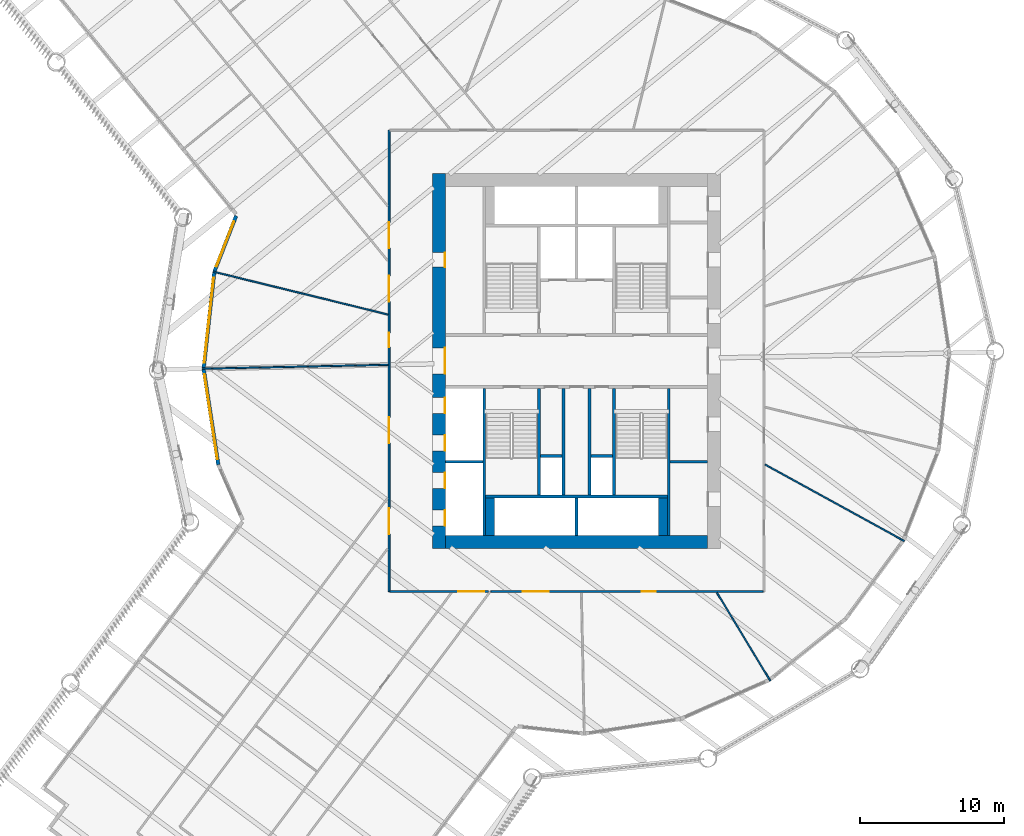
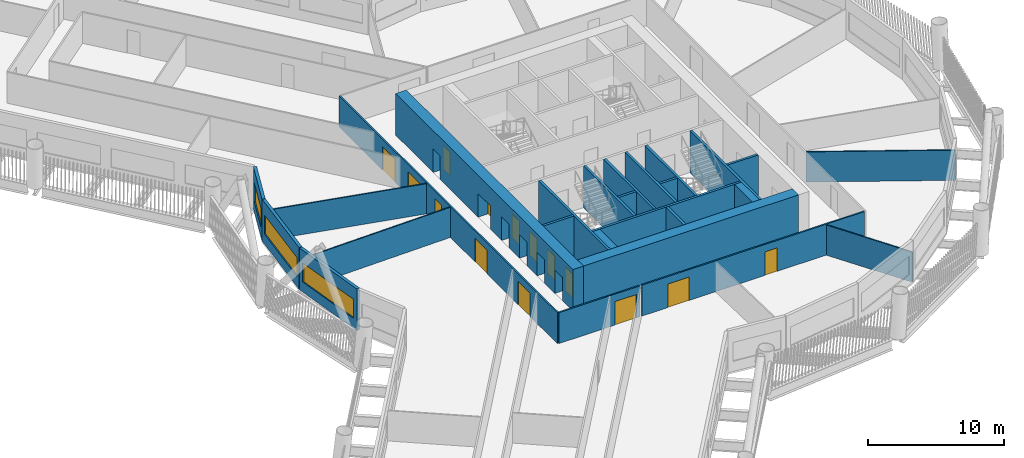
# One storey, part 4 of 22: 26 walls, 14 doors, 3 windows, 17 openings.
"""IFC4 building model written with IfcOpenShell, lengths in metres."""

from ifc_helpers import new_model, si_unit, direction, frame, frame_2d, origin, place, context, subcontext, project, spatial, rectangle, extrude, material, layer, layer_set, type_object, element, fill, save


model = new_model("IFC4")

# Units and contexts
model_context = context("Model", 3, precision=1e-05, world=origin(), true_north=direction((0.0, 1.0)))
body_context = subcontext(model_context, "Body", "Model", "MODEL_VIEW")
ifc_project = project(units=[si_unit("LENGTHUNIT", "METRE"), si_unit("AREAUNIT", "SQUARE_METRE"), si_unit("VOLUMEUNIT", "CUBIC_METRE"), si_unit("PLANEANGLEUNIT", "RADIAN"), si_unit("MASSUNIT", "GRAM", prefix="KILO")], contexts=[model_context])

# Site, building, storey
site_placement = place(None, origin())
site = spatial("IfcSite", under=ifc_project, at=site_placement, CompositionType="ELEMENT")
building_placement = place(site_placement, origin())
building = spatial("IfcBuilding", under=site, at=building_placement, Name="Tarsis Ring Headquarters", CompositionType="ELEMENT")
storey_placement = place(building_placement, frame((0.0, 0.0, 40.0)))
storey = spatial("IfcBuildingStorey", under=building, at=storey_placement, Name="L07", CompositionType="ELEMENT", Elevation=40.0)

# Walls
ifc_material_1 = material(Name="Blockwork", Category="masonry")
ifc_layer_1 = layer(ifc_material_1, 0.199951171875)
ifc_layer_set_1 = layer_set([ifc_layer_1], Name="Core blockwork wall 200")
wall_type_1 = type_object("IfcWallType", Name="Core blockwork wall 200", PredefinedType="PARTITIONING", material=ifc_layer_set_1)
wall_1_placement = place(storey_placement, frame((6.5, -7.0, 0.0), z_axis=(0.0, 0.0, 1.0), x_axis=(1.0, 0.0, 0.0)))
element("IfcWall", 1, at=wall_1_placement, inside=storey, type_object=wall_type_1, Name="Core partition ED2", PredefinedType="PARTITIONING", context=body_context, shape_type="SweptSolid", body=[
    extrude(rectangle(XDim=2.60009765625, YDim=0.199951171875, at=frame_2d((1.300048828125, 0.0))), origin(), (0.0, 0.0, 1.0), 3.739990234375),
])
for number, where, z_axis, x_axis, name in (
    (2, (-2.5, -6.60009765625, 0.0), (0.0, 0.0, 1.0), (1.0, 0.0, 0.0), "Core partition SP1"),
    (3, (1.0, -6.60009765625, 0.0), (0.0, 0.0, 1.0), (1.0, 0.0, 0.0), "Core partition SP3"),
):
    element("IfcWall", number, at=place(storey_placement, frame(where, z_axis=z_axis, x_axis=x_axis)), inside=storey, type_object=wall_type_1, Name=name, PredefinedType="PARTITIONING", context=body_context, shape_type="SweptSolid", body=[
        extrude(rectangle(XDim=1.5, YDim=0.199951171875, at=frame_2d((0.75, 0.0))), origin(), (0.0, 0.0, 1.0), 3.739990234375),
    ])
for number, where, z_axis, x_axis, name in (
    (4, (-0.89990234375, -9.300048828125, 0.0), (0.0, 0.0, 1.0), (0.0, 1.0, 0.0), "Core partition SV1"),
    (5, (0.89990234375, -9.300048828125, 0.0), (0.0, 0.0, 1.0), (0.0, 1.0, 0.0), "Core partition SV2"),
):
    element("IfcWall", number, at=place(storey_placement, frame(where, z_axis=z_axis, x_axis=x_axis)), inside=storey, type_object=wall_type_1, Name=name, PredefinedType="PARTITIONING", context=body_context, shape_type="SweptSolid", body=[
        extrude(rectangle(XDim=7.400146484375, YDim=0.199951171875, at=frame_2d((3.7001953125, 0.0))), origin(), (0.0, 0.0, 1.0), 3.739990234375),
    ])

# Wall, openings, doors
ifc_material_2 = material(Name="Concrete C60/75", Category="concrete")
ifc_layer_2 = layer(ifc_material_2, 0.89990234375)
ifc_layer_set_2 = layer_set([ifc_layer_2], Name="Core wall 900 C60/75")
wall_type_2 = type_object("IfcWallType", Name="Core wall 900 C60/75", PredefinedType="SHEAR", material=ifc_layer_set_2)
wall_2_placement = place(storey_placement, frame((-9.550048828125, -13.0, 0.0), z_axis=(0.0, 0.0, 1.0), x_axis=(0.0, 1.0, 0.0)))
wall_2 = element("IfcWall", 6, at=wall_2_placement, inside=storey, type_object=wall_type_2, Name="Core wall OW", PredefinedType="SHEAR", context=body_context, shape_type="SweptSolid", body=[
    extrude(rectangle(XDim=26.0, YDim=0.89990234375, at=frame_2d((13.0, 0.0))), origin(), (0.0, 0.0, 1.0), 3.739990234375),
])
opening_1_placement = place(wall_2_placement, frame((1.550048828125, 0.0, 0.0)))
opening_1 = element("IfcOpeningElement", 7, at=opening_1_placement, cuts=wall_2, Name="Opening LD-LR1", PredefinedType="OPENING", context=body_context, shape_type="SweptSolid", body=[
    extrude(rectangle(XDim=1.10009765625, YDim=2.10009765625, at=frame_2d((0.550048828125, 1.050048828125))), frame((0.0, 0.4599609375, 0.0), z_axis=(0.0, -1.0, 0.0), x_axis=(1.0, 0.0, 0.0)), (0.0, 0.0, 1.0), 0.919921875),
])
opening_2_placement = place(wall_2_placement, frame((4.14990234375, 0.0, 0.0)))
opening_2 = element("IfcOpeningElement", 8, at=opening_2_placement, cuts=wall_2, Name="Opening LD-LR2", PredefinedType="OPENING", context=body_context, shape_type="SweptSolid", body=[
    extrude(rectangle(XDim=1.10009765625, YDim=2.10009765625, at=frame_2d((0.550048828125, 1.050048828125))), frame((0.0, 0.4599609375, 0.0), z_axis=(0.0, -1.0, 0.0), x_axis=(1.0, 0.0, 0.0)), (0.0, 0.0, 1.0), 0.919921875),
])
opening_3_placement = place(wall_2_placement, frame((6.75, 0.0, 0.0)))
opening_3 = element("IfcOpeningElement", 9, at=opening_3_placement, cuts=wall_2, Name="Opening LD-LR3", PredefinedType="OPENING", context=body_context, shape_type="SweptSolid", body=[
    extrude(rectangle(XDim=1.10009765625, YDim=2.10009765625, at=frame_2d((0.550048828125, 1.050048828125))), frame((0.0, 0.4599609375, 0.0), z_axis=(0.0, -1.0, 0.0), x_axis=(1.0, 0.0, 0.0)), (0.0, 0.0, 1.0), 0.919921875),
])
opening_4_placement = place(wall_2_placement, frame((9.35009765625, 0.0, 0.0)))
opening_4 = element("IfcOpeningElement", 10, at=opening_4_placement, cuts=wall_2, Name="Opening LD-LR4", PredefinedType="OPENING", context=body_context, shape_type="SweptSolid", body=[
    extrude(rectangle(XDim=1.10009765625, YDim=2.10009765625, at=frame_2d((0.550048828125, 1.050048828125))), frame((0.0, 0.4599609375, 0.0), z_axis=(0.0, -1.0, 0.0), x_axis=(1.0, 0.0, 0.0)), (0.0, 0.0, 1.0), 0.919921875),
])
opening_5_placement = place(wall_2_placement, frame((12.10009765625, 0.0, 0.0)))
opening_5 = element("IfcOpeningElement", 11, at=opening_5_placement, cuts=wall_2, Name="Opening L07-C05", PredefinedType="OPENING", context=body_context, shape_type="SweptSolid", body=[
    extrude(rectangle(XDim=1.800048828125, YDim=2.10009765625, at=frame_2d((0.89990234375, 1.050048828125))), frame((0.0, 0.4599609375, 0.0), z_axis=(0.0, -1.0, 0.0), x_axis=(1.0, 0.0, 0.0)), (0.0, 0.0, 1.0), 0.919921875),
])
opening_6_placement = place(wall_2_placement, frame((19.5, 0.0, 0.0)))
opening_6 = element("IfcOpeningElement", 12, at=opening_6_placement, cuts=wall_2, Name="Opening L07-C06", PredefinedType="OPENING", context=body_context, shape_type="SweptSolid", body=[
    extrude(rectangle(XDim=1.0, YDim=2.10009765625, at=frame_2d((0.5, 1.050048828125))), frame((0.0, 0.4599609375, 0.0), z_axis=(0.0, -1.0, 0.0), x_axis=(1.0, 0.0, 0.0)), (0.0, 0.0, 1.0), 0.919921875),
])
ifc_material_3 = material(Name="Steel S355", Category="steel")
door_type_1 = type_object("IfcDoorType", Name="Core entry door 1800x2100", OperationType="DOUBLE_DOOR_SINGLE_SWING", PredefinedType="DOOR", material=ifc_material_3)
door_1_placement = place(opening_5_placement, origin())
door_1 = element("IfcDoor", 13, at=door_1_placement, inside=storey, type_object=door_type_1, Name="Core entry door L07", OperationType="DOUBLE_DOOR_SINGLE_SWING", OverallHeight=2.10009765625, OverallWidth=1.800048828125, PredefinedType="DOOR", context=body_context, shape_type="SweptSolid", body=[
    extrude(rectangle(XDim=1.800048828125, YDim=2.10009765625, at=frame_2d((0.89990234375, 1.050048828125))), frame((0.0, -0.39990234375, 0.0), z_axis=(0.0, -1.0, 0.0), x_axis=(1.0, 0.0, 0.0)), (0.0, 0.0, 1.0), 0.050048828125),
])
fill(opening_5, door_1)
door_type_2 = type_object("IfcDoorType", Name="Core room door 1000x2100", OperationType="SINGLE_SWING_LEFT", PredefinedType="DOOR", material=ifc_material_3)
door_2_placement = place(opening_6_placement, origin())
door_2 = element("IfcDoor", 14, at=door_2_placement, inside=storey, type_object=door_type_2, Name="Core room door L07", OperationType="SINGLE_SWING_LEFT", OverallHeight=2.10009765625, OverallWidth=1.0, PredefinedType="DOOR", context=body_context, shape_type="SweptSolid", body=[
    extrude(rectangle(XDim=1.0, YDim=2.10009765625, at=frame_2d((0.5, 1.050048828125))), frame((0.0, -0.39990234375, 0.0), z_axis=(0.0, -1.0, 0.0), x_axis=(1.0, 0.0, 0.0)), (0.0, 0.0, 1.0), 0.050048828125),
])
fill(opening_6, door_2)
door_type_3 = type_object("IfcDoorType", Name="Landing door 1100x2100", OperationType="SLIDING_TO_LEFT", PredefinedType="DOOR", material=ifc_material_3)
door_3_placement = place(opening_1_placement, origin())
door_3 = element("IfcDoor", 15, at=door_3_placement, inside=storey, type_object=door_type_3, Name="Landing door LR1 L07", OperationType="SLIDING_TO_LEFT", OverallHeight=2.10009765625, OverallWidth=1.10009765625, PredefinedType="DOOR", context=body_context, shape_type="SweptSolid", body=[
    extrude(rectangle(XDim=1.10009765625, YDim=2.10009765625, at=frame_2d((0.550048828125, 1.050048828125))), frame((0.0, -0.39990234375, 0.0), z_axis=(0.0, -1.0, 0.0), x_axis=(1.0, 0.0, 0.0)), (0.0, 0.0, 1.0), 0.050048828125),
])
fill(opening_1, door_3)
door_4_placement = place(opening_2_placement, origin())
door_4 = element("IfcDoor", 16, at=door_4_placement, inside=storey, type_object=door_type_3, Name="Landing door LR2 L07", OperationType="SLIDING_TO_LEFT", OverallHeight=2.10009765625, OverallWidth=1.10009765625, PredefinedType="DOOR", context=body_context, shape_type="SweptSolid", body=[
    extrude(rectangle(XDim=1.10009765625, YDim=2.10009765625, at=frame_2d((0.550048828125, 1.050048828125))), frame((0.0, -0.39990234375, 0.0), z_axis=(0.0, -1.0, 0.0), x_axis=(1.0, 0.0, 0.0)), (0.0, 0.0, 1.0), 0.050048828125),
])
fill(opening_2, door_4)
door_5_placement = place(opening_3_placement, origin())
door_5 = element("IfcDoor", 17, at=door_5_placement, inside=storey, type_object=door_type_3, Name="Landing door LR3 L07", OperationType="SLIDING_TO_LEFT", OverallHeight=2.10009765625, OverallWidth=1.10009765625, PredefinedType="DOOR", context=body_context, shape_type="SweptSolid", body=[
    extrude(rectangle(XDim=1.10009765625, YDim=2.10009765625, at=frame_2d((0.550048828125, 1.050048828125))), frame((0.0, -0.39990234375, 0.0), z_axis=(0.0, -1.0, 0.0), x_axis=(1.0, 0.0, 0.0)), (0.0, 0.0, 1.0), 0.050048828125),
])
fill(opening_3, door_5)
door_6_placement = place(opening_4_placement, origin())
door_6 = element("IfcDoor", 18, at=door_6_placement, inside=storey, type_object=door_type_3, Name="Landing door LR4 L07", OperationType="SLIDING_TO_LEFT", OverallHeight=2.10009765625, OverallWidth=1.10009765625, PredefinedType="DOOR", context=body_context, shape_type="SweptSolid", body=[
    extrude(rectangle(XDim=1.10009765625, YDim=2.10009765625, at=frame_2d((0.550048828125, 1.050048828125))), frame((0.0, -0.39990234375, 0.0), z_axis=(0.0, -1.0, 0.0), x_axis=(1.0, 0.0, 0.0)), (0.0, 0.0, 1.0), 0.050048828125),
])
fill(opening_4, door_6)

# Walls
wall_3_placement = place(storey_placement, frame((-9.10009765625, -12.550048828125, 0.0), z_axis=(0.0, 0.0, 1.0), x_axis=(1.0, 0.0, 0.0)))
element("IfcWall", 19, at=wall_3_placement, inside=storey, type_object=wall_type_2, Name="Core wall OS", PredefinedType="SHEAR", context=body_context, shape_type="SweptSolid", body=[
    extrude(rectangle(XDim=18.2001953125, YDim=0.89990234375, at=frame_2d((9.10009765625, 0.0))), origin(), (0.0, 0.0, 1.0), 3.739990234375),
])
ifc_material_4 = material(Name="Gypsum board on steel studs", Category="steel")
ifc_layer_3 = layer(ifc_material_4, 0.10009765625)
ifc_layer_set_3 = layer_set([ifc_layer_3], Name="FL partition 100 unrated")
wall_type_3 = type_object("IfcWallType", Name="FL partition 100 unrated", PredefinedType="PARTITIONING", material=ifc_layer_set_3)
wall_4_placement = place(storey_placement, frame((-25.942138671875, -0.54345703125, 0.0), z_axis=(0.0, 0.0, 1.0), x_axis=(0.999780449306, 0.020953596019, 0.0)))
element("IfcWall", 20, at=wall_4_placement, inside=storey, type_object=wall_type_3, Name="Partition PW3", PredefinedType="PARTITIONING", context=body_context, shape_type="SweptSolid", body=[
    extrude(rectangle(XDim=12.875, YDim=0.10009765625, at=frame_2d((6.4375, 0.0))), origin(), (0.0, 0.0, 1.0), 2.699951171875),
])
wall_5_placement = place(storey_placement, frame((-25.19873046875, 6.189453125, 0.0), z_axis=(0.0, 0.0, 1.0), x_axis=(0.971131100346, -0.238546402071, 0.0)))
element("IfcWall", 21, at=wall_5_placement, inside=storey, type_object=wall_type_3, Name="Partition PW3", PredefinedType="PARTITIONING", context=body_context, shape_type="SweptSolid", body=[
    extrude(rectangle(XDim=12.4912109375, YDim=0.10009765625, at=frame_2d((6.24560546875, 0.0))), origin(), (0.0, 0.0, 1.0), 2.699951171875),
])
wall_6_placement = place(storey_placement, frame((13.078857421875, -7.190185546875, 0.0), z_axis=(0.0, 0.0, 1.0), x_axis=(0.876307080368, -0.481752945914, 0.0)))
element("IfcWall", 22, at=wall_6_placement, inside=storey, type_object=wall_type_3, Name="Partition PW3", PredefinedType="PARTITIONING", context=body_context, shape_type="SweptSolid", body=[
    extrude(rectangle(XDim=11.02294921875, YDim=0.10009765625, at=frame_2d((5.511474609375, 0.0))), origin(), (0.0, 0.0, 1.0), 2.699951171875),
])
wall_7_placement = place(storey_placement, frame((9.736572265625, -16.076904296875, 0.0), z_axis=(0.0, 0.0, 1.0), x_axis=(0.518020270196, -0.855368341515, 0.0)))
element("IfcWall", 23, at=wall_7_placement, inside=storey, type_object=wall_type_3, Name="Partition PW3", PredefinedType="PARTITIONING", context=body_context, shape_type="SweptSolid", body=[
    extrude(rectangle(XDim=7.15234375, YDim=0.10009765625, at=frame_2d((3.576171875, 0.0))), origin(), (0.0, 0.0, 1.0), 2.699951171875),
])

# Wall, openings, doors
ifc_layer_4 = layer(ifc_material_4, 0.125)
ifc_layer_set_4 = layer_set([ifc_layer_4], Name="FL partition 125 EI 60 H2770")
wall_type_4 = type_object("IfcWallType", Name="FL partition 125 EI 60 H2770", PredefinedType="PARTITIONING", material=ifc_layer_set_4)
wall_8_placement = place(storey_placement, frame((-13.0, -15.9990234375, 0.0), z_axis=(0.0, 0.0, 1.0), x_axis=(0.0, 1.0, 0.0)))
wall_8 = element("IfcWall", 24, at=wall_8_placement, inside=storey, type_object=wall_type_4, Name="Partition PW1", PredefinedType="PARTITIONING", context=body_context, shape_type="SweptSolid", body=[
    extrude(rectangle(XDim=31.9990234375, YDim=0.125, at=frame_2d((15.99951171875, 0.0))), origin(), (0.0, 0.0, 1.0), 2.77001953125),
])
opening_7_placement = place(wall_8_placement, frame((10.272216796875, 0.0, 0.0)))
opening_7 = element("IfcOpeningElement", 25, at=opening_7_placement, cuts=wall_8, Name="Opening D07.14", PredefinedType="OPENING", context=body_context, shape_type="SweptSolid", body=[
    extrude(rectangle(XDim=1.800048828125, YDim=2.10009765625, at=frame_2d((0.89990234375, 1.050048828125))), frame((0.0, 0.072509765625, 0.0), z_axis=(0.0, -1.0, 0.0), x_axis=(1.0, 0.0, 0.0)), (0.0, 0.0, 1.0), 0.14501953125),
])
opening_8_placement = place(wall_8_placement, frame((16.95947265625, 0.0, 0.0)))
opening_8 = element("IfcOpeningElement", 26, at=opening_8_placement, cuts=wall_8, Name="Opening D07.15", PredefinedType="OPENING", context=body_context, shape_type="SweptSolid", body=[
    extrude(rectangle(XDim=1.0, YDim=2.10009765625, at=frame_2d((0.5, 1.050048828125))), frame((0.0, 0.072509765625, 0.0), z_axis=(0.0, -1.0, 0.0), x_axis=(1.0, 0.0, 0.0)), (0.0, 0.0, 1.0), 0.14501953125),
])
opening_9_placement = place(wall_8_placement, frame((20.108642578125, 0.0, 0.0)))
opening_9 = element("IfcOpeningElement", 27, at=opening_9_placement, cuts=wall_8, Name="Opening D07.16", PredefinedType="OPENING", context=body_context, shape_type="SweptSolid", body=[
    extrude(rectangle(XDim=1.800048828125, YDim=2.10009765625, at=frame_2d((0.89990234375, 1.050048828125))), frame((0.0, 0.072509765625, 0.0), z_axis=(0.0, -1.0, 0.0), x_axis=(1.0, 0.0, 0.0)), (0.0, 0.0, 1.0), 0.14501953125),
])
opening_10_placement = place(wall_8_placement, frame((3.965087890625, 0.0, 0.0)))
opening_10 = element("IfcOpeningElement", 28, at=opening_10_placement, cuts=wall_8, Name="Opening D07.21", PredefinedType="OPENING", context=body_context, shape_type="SweptSolid", body=[
    extrude(rectangle(XDim=1.800048828125, YDim=2.10009765625, at=frame_2d((0.89990234375, 1.050048828125))), frame((0.0, 0.072509765625, 0.0), z_axis=(0.0, -1.0, 0.0), x_axis=(1.0, 0.0, 0.0)), (0.0, 0.0, 1.0), 0.14501953125),
])
opening_11_placement = place(wall_8_placement, frame((23.82373046875, 0.0, 0.0)))
opening_11 = element("IfcOpeningElement", 29, at=opening_11_placement, cuts=wall_8, Name="Opening D07.23", PredefinedType="OPENING", context=body_context, shape_type="SweptSolid", body=[
    extrude(rectangle(XDim=1.800048828125, YDim=2.10009765625, at=frame_2d((0.89990234375, 1.050048828125))), frame((0.0, 0.072509765625, 0.0), z_axis=(0.0, -1.0, 0.0), x_axis=(1.0, 0.0, 0.0)), (0.0, 0.0, 1.0), 0.14501953125),
])
ifc_material_5 = material(Name="Fire-rated timber door leaf in steel frame", Category="steel")
door_type_4 = type_object("IfcDoorType", Name="FL door FD60-1000", OperationType="NOTDEFINED", PredefinedType="DOOR", material=ifc_material_5)
door_7_placement = place(opening_8_placement, origin())
door_7 = element("IfcDoor", 30, at=door_7_placement, inside=storey, type_object=door_type_4, Name="Door D07.15", OperationType="SINGLE_SWING_RIGHT", OverallHeight=2.10009765625, OverallWidth=1.0, PredefinedType="DOOR", context=body_context, shape_type="SweptSolid", body=[
    extrude(rectangle(XDim=1.0, YDim=2.10009765625, at=frame_2d((0.5, 1.050048828125))), frame((0.0, 0.02490234375, 0.0), z_axis=(0.0, -1.0, 0.0), x_axis=(1.0, 0.0, 0.0)), (0.0, 0.0, 1.0), 0.050048828125),
])
fill(opening_8, door_7)
door_type_5 = type_object("IfcDoorType", Name="FL door FD60-1800", OperationType="DOUBLE_DOOR_SINGLE_SWING", PredefinedType="DOOR", material=ifc_material_5)
door_8_placement = place(opening_7_placement, origin())
door_8 = element("IfcDoor", 31, at=door_8_placement, inside=storey, type_object=door_type_5, Name="Door D07.14", OperationType="DOUBLE_DOOR_SINGLE_SWING", OverallHeight=2.10009765625, OverallWidth=1.800048828125, PredefinedType="DOOR", context=body_context, shape_type="SweptSolid", body=[
    extrude(rectangle(XDim=1.800048828125, YDim=2.10009765625, at=frame_2d((0.89990234375, 1.050048828125))), frame((0.0, 0.02490234375, 0.0), z_axis=(0.0, -1.0, 0.0), x_axis=(1.0, 0.0, 0.0)), (0.0, 0.0, 1.0), 0.050048828125),
])
fill(opening_7, door_8)
door_9_placement = place(opening_9_placement, origin())
door_9 = element("IfcDoor", 32, at=door_9_placement, inside=storey, type_object=door_type_5, Name="Door D07.16", OperationType="DOUBLE_DOOR_SINGLE_SWING", OverallHeight=2.10009765625, OverallWidth=1.800048828125, PredefinedType="DOOR", context=body_context, shape_type="SweptSolid", body=[
    extrude(rectangle(XDim=1.800048828125, YDim=2.10009765625, at=frame_2d((0.89990234375, 1.050048828125))), frame((0.0, 0.02490234375, 0.0), z_axis=(0.0, -1.0, 0.0), x_axis=(1.0, 0.0, 0.0)), (0.0, 0.0, 1.0), 0.050048828125),
])
fill(opening_9, door_9)
door_10_placement = place(opening_10_placement, origin())
door_10 = element("IfcDoor", 33, at=door_10_placement, inside=storey, type_object=door_type_5, Name="Door D07.21", OperationType="DOUBLE_DOOR_SINGLE_SWING", OverallHeight=2.10009765625, OverallWidth=1.800048828125, PredefinedType="DOOR", context=body_context, shape_type="SweptSolid", body=[
    extrude(rectangle(XDim=1.800048828125, YDim=2.10009765625, at=frame_2d((0.89990234375, 1.050048828125))), frame((0.0, 0.02490234375, 0.0), z_axis=(0.0, -1.0, 0.0), x_axis=(1.0, 0.0, 0.0)), (0.0, 0.0, 1.0), 0.050048828125),
])
fill(opening_10, door_10)
door_11_placement = place(opening_11_placement, origin())
door_11 = element("IfcDoor", 34, at=door_11_placement, inside=storey, type_object=door_type_5, Name="Door D07.23", OperationType="DOUBLE_DOOR_SINGLE_SWING", OverallHeight=2.10009765625, OverallWidth=1.800048828125, PredefinedType="DOOR", context=body_context, shape_type="SweptSolid", body=[
    extrude(rectangle(XDim=1.800048828125, YDim=2.10009765625, at=frame_2d((0.89990234375, 1.050048828125))), frame((0.0, 0.02490234375, 0.0), z_axis=(0.0, -1.0, 0.0), x_axis=(1.0, 0.0, 0.0)), (0.0, 0.0, 1.0), 0.050048828125),
])
fill(opening_11, door_11)

# Wall, opening, door
wall_9_placement = place(storey_placement, frame((-12.93896484375, -16.0, 0.0), z_axis=(0.0, 0.0, 1.0), x_axis=(1.0, 0.0, 0.0)))
wall_9 = element("IfcWall", 35, at=wall_9_placement, inside=storey, type_object=wall_type_4, Name="Partition PW1", PredefinedType="PARTITIONING", context=body_context, shape_type="SweptSolid", body=[
    extrude(rectangle(XDim=6.82666015625, YDim=0.125, at=frame_2d((3.413330078125, 0.0))), origin(), (0.0, 0.0, 1.0), 2.77001953125),
])
opening_12_placement = place(wall_9_placement, frame((4.740234375, 0.0, 0.0)))
opening_12 = element("IfcOpeningElement", 36, at=opening_12_placement, cuts=wall_9, Name="Opening D07.22", PredefinedType="OPENING", context=body_context, shape_type="SweptSolid", body=[
    extrude(rectangle(XDim=1.800048828125, YDim=2.10009765625, at=frame_2d((0.89990234375, 1.050048828125))), frame((0.0, 0.072509765625, 0.0), z_axis=(0.0, -1.0, 0.0), x_axis=(1.0, 0.0, 0.0)), (0.0, 0.0, 1.0), 0.14501953125),
])
door_12_placement = place(opening_12_placement, origin())
door_12 = element("IfcDoor", 37, at=door_12_placement, inside=storey, type_object=door_type_5, Name="Door D07.22", OperationType="DOUBLE_DOOR_SINGLE_SWING", OverallHeight=2.10009765625, OverallWidth=1.800048828125, PredefinedType="DOOR", context=body_context, shape_type="SweptSolid", body=[
    extrude(rectangle(XDim=1.800048828125, YDim=2.10009765625, at=frame_2d((0.89990234375, 1.050048828125))), frame((0.0, 0.02490234375, 0.0), z_axis=(0.0, -1.0, 0.0), x_axis=(1.0, 0.0, 0.0)), (0.0, 0.0, 1.0), 0.050048828125),
])
fill(opening_12, door_12)

# Wall, openings, doors
wall_10_placement = place(storey_placement, frame((-5.9375, -16.0, 0.0), z_axis=(0.0, 0.0, 1.0), x_axis=(1.0, 0.0, 0.0)))
wall_10 = element("IfcWall", 38, at=wall_10_placement, inside=storey, type_object=wall_type_4, Name="Partition PW1", PredefinedType="PARTITIONING", context=body_context, shape_type="SweptSolid", body=[
    extrude(rectangle(XDim=18.87744140625, YDim=0.125, at=frame_2d((9.438720703125, 0.0))), origin(), (0.0, 0.0, 1.0), 2.77001953125),
])
opening_13_placement = place(wall_10_placement, frame((10.449951171875, 0.0, 0.0)))
opening_13 = element("IfcOpeningElement", 39, at=opening_13_placement, cuts=wall_10, Name="Opening D07.10", PredefinedType="OPENING", context=body_context, shape_type="SweptSolid", body=[
    extrude(rectangle(XDim=1.0, YDim=2.10009765625, at=frame_2d((0.5, 1.050048828125))), frame((0.0, 0.072509765625, 0.0), z_axis=(0.0, -1.0, 0.0), x_axis=(1.0, 0.0, 0.0)), (0.0, 0.0, 1.0), 0.14501953125),
])
opening_14_placement = place(wall_10_placement, frame((2.211181640625, 0.0, 0.0)))
opening_14 = element("IfcOpeningElement", 40, at=opening_14_placement, cuts=wall_10, Name="Opening D07.11", PredefinedType="OPENING", context=body_context, shape_type="SweptSolid", body=[
    extrude(rectangle(XDim=1.800048828125, YDim=2.10009765625, at=frame_2d((0.89990234375, 1.050048828125))), frame((0.0, 0.072509765625, 0.0), z_axis=(0.0, -1.0, 0.0), x_axis=(1.0, 0.0, 0.0)), (0.0, 0.0, 1.0), 0.14501953125),
])
door_13_placement = place(opening_13_placement, origin())
door_13 = element("IfcDoor", 41, at=door_13_placement, inside=storey, type_object=door_type_4, Name="Door D07.10", OperationType="SINGLE_SWING_LEFT", OverallHeight=2.10009765625, OverallWidth=1.0, PredefinedType="DOOR", context=body_context, shape_type="SweptSolid", body=[
    extrude(rectangle(XDim=1.0, YDim=2.10009765625, at=frame_2d((0.5, 1.050048828125))), frame((0.0, 0.02490234375, 0.0), z_axis=(0.0, -1.0, 0.0), x_axis=(1.0, 0.0, 0.0)), (0.0, 0.0, 1.0), 0.050048828125),
])
fill(opening_13, door_13)
door_14_placement = place(opening_14_placement, origin())
door_14 = element("IfcDoor", 42, at=door_14_placement, inside=storey, type_object=door_type_5, Name="Door D07.11", OperationType="DOUBLE_DOOR_SINGLE_SWING", OverallHeight=2.10009765625, OverallWidth=1.800048828125, PredefinedType="DOOR", context=body_context, shape_type="SweptSolid", body=[
    extrude(rectangle(XDim=1.800048828125, YDim=2.10009765625, at=frame_2d((0.89990234375, 1.050048828125))), frame((0.0, 0.02490234375, 0.0), z_axis=(0.0, -1.0, 0.0), x_axis=(1.0, 0.0, 0.0)), (0.0, 0.0, 1.0), 0.050048828125),
])
fill(opening_14, door_14)

# Wall, opening, window
ifc_material_6 = material(Name="Terracotta clad insulated panel wall", Category="masonry")
ifc_layer_5 = layer(ifc_material_6, 0.25)
ifc_layer_set_5 = layer_set([ifc_layer_5], Name="Facade wall terracotta panel 250")
wall_type_5 = type_object("IfcWallType", Name="Facade wall terracotta panel 250", PredefinedType="STANDARD", material=ifc_layer_set_5)
wall_11_placement = place(storey_placement, frame((-23.61083984375, 10.060791015625, 0.0), z_axis=(0.0, 0.0, 1.0), x_axis=(-0.363236714171, -0.931696887125, 0.0)))
wall_11 = element("IfcWall", 43, at=wall_11_placement, inside=storey, type_object=wall_type_5, Name="External wall L07-02", PredefinedType="STANDARD", context=body_context, shape_type="SweptSolid", body=[
    extrude(rectangle(XDim=4.15771484375, YDim=0.25, at=frame_2d((2.078857421875, 0.0))), origin(), (0.0, 0.0, 1.0), 3.739990234375),
])
opening_15_placement = place(wall_11_placement, frame((0.420166015625, 0.0, 0.89990234375)))
opening_15 = element("IfcOpeningElement", 44, at=opening_15_placement, cuts=wall_11, Name="Opening WN01", PredefinedType="OPENING", context=body_context, shape_type="SweptSolid", body=[
    extrude(rectangle(XDim=3.35009765625, YDim=1.699951171875, at=frame_2d((1.675048828125, 0.85009765625))), frame((0.0, 0.135009765625, 0.0), z_axis=(0.0, -1.0, 0.0), x_axis=(1.0, 0.0, 0.0)), (0.0, 0.0, 1.0), 0.27001953125),
])
ifc_material_7 = material(Name="Aluminium framed double glazing", Category="aluminium")
window_type_1 = type_object("IfcWindowType", Name="Facade window 3350 x 1700", PartitioningType="SINGLE_PANEL", PredefinedType="WINDOW", material=ifc_material_7)
window_1_placement = place(opening_15_placement, origin())
window_1 = element("IfcWindow", 45, at=window_1_placement, inside=storey, type_object=window_type_1, Name="Window L07-02.1", OverallHeight=1.699951171875, OverallWidth=3.35009765625, PartitioningType="SINGLE_PANEL", PredefinedType="WINDOW", context=body_context, shape_type="SweptSolid", body=[
    extrude(rectangle(XDim=3.35009765625, YDim=1.699951171875, at=frame_2d((1.675048828125, 0.85009765625))), frame((0.0, 0.030029296875, 0.0), z_axis=(0.0, -1.0, 0.0), x_axis=(1.0, 0.0, 0.0)), (0.0, 0.0, 1.0), 0.06005859375),
])
fill(opening_15, window_1)

wall_12_placement = place(storey_placement, frame((-25.12890625, 6.155517578125, 0.0), z_axis=(0.0, 0.0, 1.0), x_axis=(-0.109729856824, -0.993961447201, 0.0)))
wall_12 = element("IfcWall", 46, at=wall_12_placement, inside=storey, type_object=wall_type_5, Name="External wall L07-03", PredefinedType="STANDARD", context=body_context, shape_type="SweptSolid", body=[
    extrude(rectangle(XDim=6.721435546875, YDim=0.25, at=frame_2d((3.36083984375, 0.0))), origin(), (0.0, 0.0, 1.0), 3.739990234375),
])
opening_16_placement = place(wall_12_placement, frame((0.3857421875, 0.0, 0.89990234375)))
opening_16 = element("IfcOpeningElement", 47, at=opening_16_placement, cuts=wall_12, Name="Opening WN07", PredefinedType="OPENING", context=body_context, shape_type="SweptSolid", body=[
    extrude(rectangle(XDim=5.949951171875, YDim=1.699951171875, at=frame_2d((2.97509765625, 0.85009765625))), frame((0.0, 0.135009765625, 0.0), z_axis=(0.0, -1.0, 0.0), x_axis=(1.0, 0.0, 0.0)), (0.0, 0.0, 1.0), 0.27001953125),
])
window_type_2 = type_object("IfcWindowType", Name="Facade window 5950 x 1700", PartitioningType="SINGLE_PANEL", PredefinedType="WINDOW", material=ifc_material_7)
window_2_placement = place(opening_16_placement, origin())
window_2 = element("IfcWindow", 48, at=window_2_placement, inside=storey, type_object=window_type_2, Name="Window L07-03.1", OverallHeight=1.699951171875, OverallWidth=5.949951171875, PartitioningType="SINGLE_PANEL", PredefinedType="WINDOW", context=body_context, shape_type="SweptSolid", body=[
    extrude(rectangle(XDim=5.949951171875, YDim=1.699951171875, at=frame_2d((2.97509765625, 0.85009765625))), frame((0.0, 0.030029296875, 0.0), z_axis=(0.0, -1.0, 0.0), x_axis=(1.0, 0.0, 0.0)), (0.0, 0.0, 1.0), 0.06005859375),
])
fill(opening_16, window_2)

wall_13_placement = place(storey_placement, frame((-25.86572265625, -0.55810546875, 0.0), z_axis=(0.0, 0.0, 1.0), x_axis=(0.151243777454, -0.988496494572, 0.0)))
wall_13 = element("IfcWall", 49, at=wall_13_placement, inside=storey, type_object=wall_type_5, Name="External wall L07-04", PredefinedType="STANDARD", context=body_context, shape_type="SweptSolid", body=[
    extrude(rectangle(XDim=6.7216796875, YDim=0.25, at=frame_2d((3.36083984375, 0.0))), origin(), (0.0, 0.0, 1.0), 3.739990234375),
])
opening_17_placement = place(wall_13_placement, frame((0.3857421875, 0.0, 0.89990234375)))
opening_17 = element("IfcOpeningElement", 50, at=opening_17_placement, cuts=wall_13, Name="Opening WN07", PredefinedType="OPENING", context=body_context, shape_type="SweptSolid", body=[
    extrude(rectangle(XDim=5.949951171875, YDim=1.699951171875, at=frame_2d((2.97509765625, 0.85009765625))), frame((0.0, 0.135009765625, 0.0), z_axis=(0.0, -1.0, 0.0), x_axis=(1.0, 0.0, 0.0)), (0.0, 0.0, 1.0), 0.27001953125),
])
window_3_placement = place(opening_17_placement, origin())
window_3 = element("IfcWindow", 51, at=window_3_placement, inside=storey, type_object=window_type_2, Name="Window L07-04.1", OverallHeight=1.699951171875, OverallWidth=5.949951171875, PartitioningType="SINGLE_PANEL", PredefinedType="WINDOW", context=body_context, shape_type="SweptSolid", body=[
    extrude(rectangle(XDim=5.949951171875, YDim=1.699951171875, at=frame_2d((2.97509765625, 0.85009765625))), frame((0.0, 0.030029296875, 0.0), z_axis=(0.0, -1.0, 0.0), x_axis=(1.0, 0.0, 0.0)), (0.0, 0.0, 1.0), 0.06005859375),
])
fill(opening_17, window_3)

# Walls
ifc_material_8 = material(Name="Concrete C32/40", Category="concrete")
ifc_layer_6 = layer(ifc_material_8, 0.60009765625)
ifc_layer_set_6 = layer_set([ifc_layer_6], Name="Shaft end wall 600 C32/40")
wall_type_6 = type_object("IfcWallType", Name="Shaft end wall 600 C32/40", PredefinedType="SOLIDWALL", material=ifc_layer_set_6)
for number, where, z_axis, x_axis, name in (
    (52, (-6.0, -12.10009765625, 0.0), (0.0, 0.0, 1.0), (0.0, 1.0, 0.0), "Core shaft wall SNE1"),
    (53, (6.0, -12.10009765625, 0.0), (0.0, 0.0, 1.0), (0.0, 1.0, 0.0), "Core shaft wall SNE2"),
):
    element("IfcWall", number, at=place(storey_placement, frame(where, z_axis=z_axis, x_axis=x_axis)), inside=storey, type_object=wall_type_6, Name=name, PredefinedType="SOLIDWALL", context=body_context, shape_type="SweptSolid", body=[
        extrude(rectangle(XDim=2.60009765625, YDim=0.60009765625, at=frame_2d((1.300048828125, 0.0))), origin(), (0.0, 0.0, 1.0), 3.739990234375),
    ])
ifc_layer_7 = layer(ifc_material_8, 0.199951171875)
ifc_layer_set_7 = layer_set([ifc_layer_7], Name="Shaft wall 200 C32/40")
wall_type_7 = type_object("IfcWallType", Name="Shaft wall 200 C32/40", PredefinedType="SOLIDWALL", material=ifc_layer_set_7)
for number, where, z_axis, x_axis, name in (
    (54, (-6.39990234375, -12.10009765625, 0.0), (0.0, 0.0, 1.0), (0.0, 1.0, 0.0), "Core shaft wall WB1"),
    (55, (6.39990234375, -12.10009765625, 0.0), (0.0, 0.0, 1.0), (0.0, 1.0, 0.0), "Core shaft wall EB1"),
):
    element("IfcWall", number, at=place(storey_placement, frame(where, z_axis=z_axis, x_axis=x_axis)), inside=storey, type_object=wall_type_7, Name=name, PredefinedType="SOLIDWALL", context=body_context, shape_type="SweptSolid", body=[
        extrude(rectangle(XDim=10.2001953125, YDim=0.199951171875, at=frame_2d((5.10009765625, 0.0))), origin(), (0.0, 0.0, 1.0), 3.739990234375),
    ])
wall_14_placement = place(storey_placement, frame((-6.300048828125, -9.39990234375, 0.0), z_axis=(0.0, 0.0, 1.0), x_axis=(1.0, 0.0, 0.0)))
element("IfcWall", 56, at=wall_14_placement, inside=storey, type_object=wall_type_7, Name="Core shaft wall SB", PredefinedType="SOLIDWALL", context=body_context, shape_type="SweptSolid", body=[
    extrude(rectangle(XDim=12.60009765625, YDim=0.199951171875, at=frame_2d((6.300048828125, 0.0))), origin(), (0.0, 0.0, 1.0), 3.739990234375),
])
for number, where, z_axis, x_axis, name in (
    (57, (-2.60009765625, -9.300048828125, 0.0), (0.0, 0.0, 1.0), (0.0, 1.0, 0.0), "Core shaft wall SW3"),
    (58, (2.60009765625, -9.300048828125, 0.0), (0.0, 0.0, 1.0), (0.0, 1.0, 0.0), "Core shaft wall SW4"),
):
    element("IfcWall", number, at=place(storey_placement, frame(where, z_axis=z_axis, x_axis=x_axis)), inside=storey, type_object=wall_type_7, Name=name, PredefinedType="SOLIDWALL", context=body_context, shape_type="SweptSolid", body=[
        extrude(rectangle(XDim=7.400146484375, YDim=0.199951171875, at=frame_2d((3.7001953125, 0.0))), origin(), (0.0, 0.0, 1.0), 3.739990234375),
    ])
for number, where, z_axis, x_axis, name in (
    (59, (-9.10009765625, -7.0, 0.0), (0.0, 0.0, 1.0), (1.0, 0.0, 0.0), "Core shaft wall WD2"),
    (60, (0.0, -12.10009765625, 0.0), (0.0, 0.0, 1.0), (0.0, 1.0, 0.0), "Core shaft wall SD2"),
):
    element("IfcWall", number, at=place(storey_placement, frame(where, z_axis=z_axis, x_axis=x_axis)), inside=storey, type_object=wall_type_7, Name=name, PredefinedType="SOLIDWALL", context=body_context, shape_type="SweptSolid", body=[
        extrude(rectangle(XDim=2.60009765625, YDim=0.199951171875, at=frame_2d((1.300048828125, 0.0))), origin(), (0.0, 0.0, 1.0), 3.739990234375),
    ])

save(model, "model.ifc")
